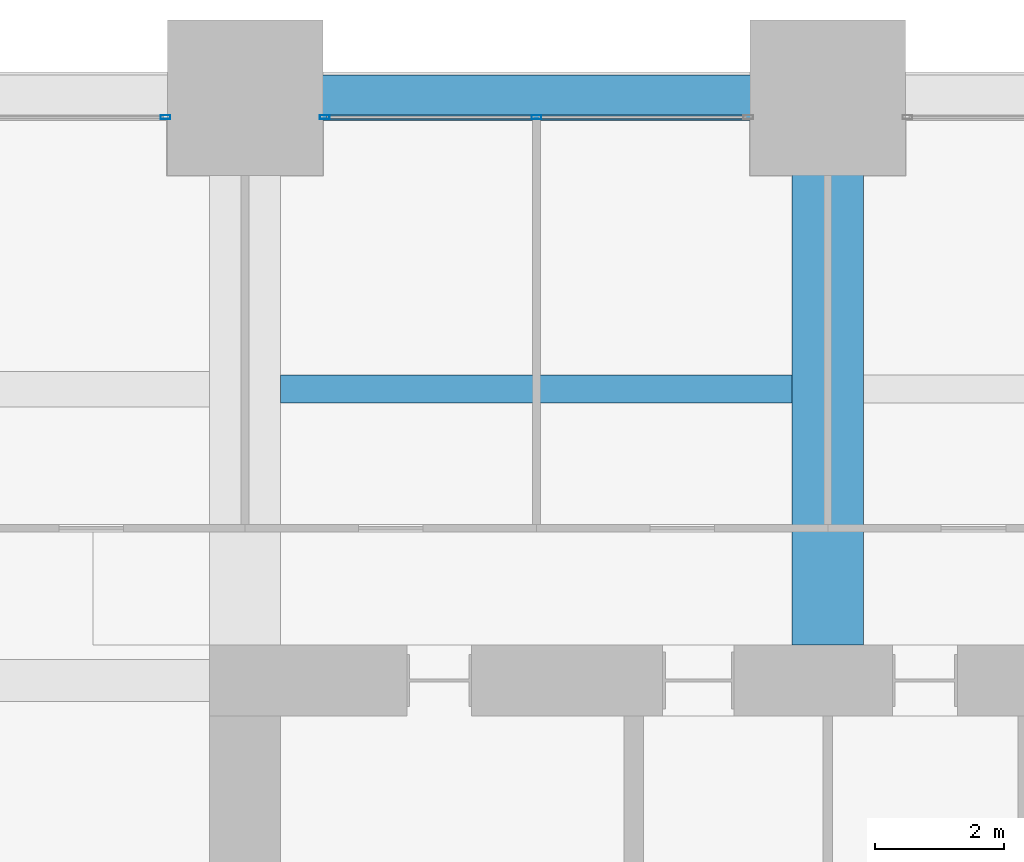
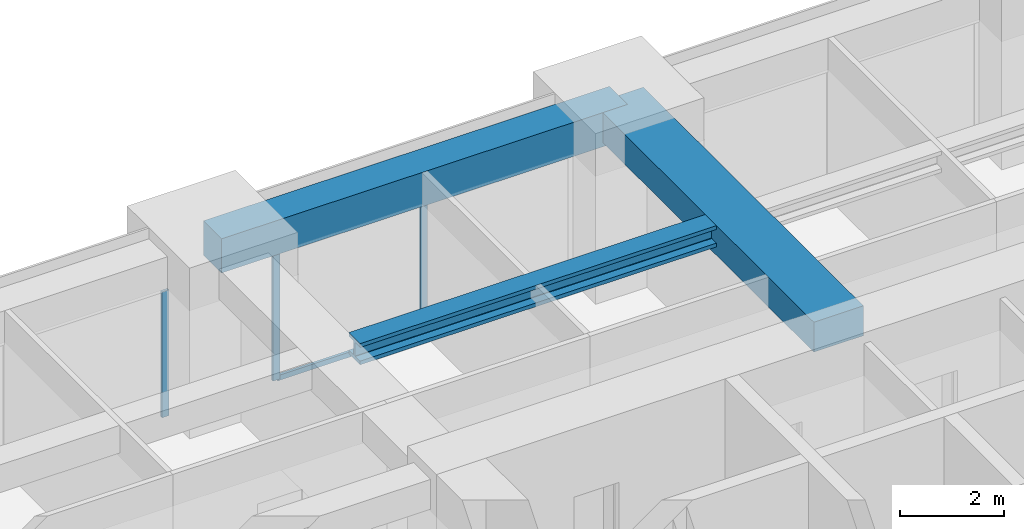
# One storey, part 24 of 34: 4 members, 3 beams, 2 elements without a shape of their own.
"""IFC4 building model written with IfcOpenShell, lengths in metres."""

import ifcopenshell
import ifcopenshell.guid

model = None  # the IFC model being written
_history = None  # IfcOwnerHistory: only IFC2X3 demands one
_inside = {}  # id of a spatial element -> (the spatial element, [elements in it])
_under = {}  # id of a project, library or spatial element -> (it, [spatial elements below it])
_declared = {}  # id of a project -> (the project, [libraries it declares])
_typed = {}  # id of a type object -> (the type object, [elements of that type])
_made_of = {}  # id of a material, layer set ... -> (it, [elements and type objects made of it])


def new_model(schema):
    """Start an empty IFC model of exactly this schema.

    Asked for "IFC4X3", IfcOpenShell would pick the latest addendum, in which some entities
    have other attributes; the version numbers below select the first issue.
    IFC2X3 requires an IfcOwnerHistory on every rooted entity: one is made here for all.
    """
    global model, _history
    if schema == "IFC4X3":
        model = ifcopenshell.file(schema_version=(4, 3, 0, 0))
    else:
        model = ifcopenshell.file(schema=schema)
    _inside.clear()
    _under.clear()
    _declared.clear()
    _typed.clear()
    _made_of.clear()
    _history = None
    if model.schema == "IFC2X3":
        org = make("IfcOrganization", Name="unknown")
        user = make(
            "IfcPersonAndOrganization",
            ThePerson=make("IfcPerson", FamilyName="unknown"),
            TheOrganization=org,
        )
        app = make(
            "IfcApplication",
            ApplicationDeveloper=org,
            Version="unknown",
            ApplicationFullName="unknown",
            ApplicationIdentifier="unknown",
        )
        _history = make(
            "IfcOwnerHistory",
            OwningUser=user,
            OwningApplication=app,
            ChangeAction="ADDED",
            CreationDate=0,
        )
    return model


def make(cls, **values):
    """One entity of the class cls with the attributes given. An attribute that is None is left unset."""
    return model.create_entity(
        cls, **{name: value for name, value in values.items() if value is not None}
    )


def rooted(cls, **values):
    """An entity with a GlobalId (a new one), such as an element, a storey or a relation."""
    return make(cls, GlobalId=ifcopenshell.guid.new(), OwnerHistory=_history, **values)


def si_unit(unit_type, name, prefix=None):
    """IfcSIUnit, for example si_unit("LENGTHUNIT", "METRE", prefix="MILLI")."""
    return make("IfcSIUnit", UnitType=unit_type, Prefix=prefix, Name=name)


def assignment(units):
    """IfcUnitAssignment: the units of a project."""
    return None if units is None else make("IfcUnitAssignment", Units=units)


def point(xyz):
    """IfcCartesianPoint."""
    return None if xyz is None else make("IfcCartesianPoint", Coordinates=xyz)


def direction(xyz):
    """IfcDirection."""
    return None if xyz is None else make("IfcDirection", DirectionRatios=xyz)


def frame(location, z_axis=None, x_axis=None):
    """IfcAxis2Placement3D, a coordinate frame: its origin and axes. An axis left out is left unset."""
    return make(
        "IfcAxis2Placement3D",
        Location=point(location),
        Axis=direction(z_axis),
        RefDirection=direction(x_axis),
    )


def frame_2d(location, x_axis=None):
    """IfcAxis2Placement2D, a coordinate frame in the plane: its origin and x axis."""
    return make(
        "IfcAxis2Placement2D", Location=point(location), RefDirection=direction(x_axis)
    )


def origin():
    """The frame at (0, 0, 0) with its axes left unset."""
    return frame((0.0, 0.0, 0.0))


def origin_2d():
    """The frame at (0, 0) in the plane with its x axis left unset."""
    return frame_2d((0.0, 0.0))


def place(relative_to, where):
    """IfcLocalPlacement: puts the frame where relative to a parent placement (None: the world)."""
    return make(
        "IfcLocalPlacement", PlacementRelTo=relative_to, RelativePlacement=where
    )


def context(
    kind, dimensions, precision=None, world=None, true_north=None, identifier=None
):
    """IfcGeometricRepresentationContext, for example the 3D "Model" context."""
    return make(
        "IfcGeometricRepresentationContext",
        ContextIdentifier=identifier,
        ContextType=kind,
        CoordinateSpaceDimension=dimensions,
        Precision=precision,
        WorldCoordinateSystem=world,
        TrueNorth=true_north,
    )


def subcontext(parent, identifier, kind, view, scale=None):
    """IfcGeometricRepresentationSubContext, for example "Body" below "Model"."""
    return make(
        "IfcGeometricRepresentationSubContext",
        ContextIdentifier=identifier,
        ContextType=kind,
        ParentContext=parent,
        TargetScale=scale,
        TargetView=view,
    )


def project(units=None, contexts=None):
    """IfcProject with its units and contexts."""
    return rooted(
        "IfcProject",
        Name="project",
        RepresentationContexts=contexts,
        UnitsInContext=assignment(units),
    )


def spatial(cls, under=None, at=None, **own):
    """A site, building, storey or space (cls), placed at a placement, below another one or the project."""
    s = rooted(cls, ObjectPlacement=at, **own)
    if under is not None:
        _under.setdefault(under.id(), (under, []))[1].append(s)
    return s


def profile(cls, at=None, kind="AREA", **sizes):
    """A parametric profile (cls). Its sizes go by their IFC names, for example OverallWidth=200.0."""
    return make(cls, ProfileType=kind, Position=at, **sizes)


def rectangle(**sizes):
    """IfcRectangleProfileDef."""
    return profile("IfcRectangleProfileDef", **sizes)


def hollow_rectangle(**sizes):
    """IfcRectangleHollowProfileDef."""
    return profile("IfcRectangleHollowProfileDef", **sizes)


def i_section(**sizes):
    """IfcIShapeProfileDef."""
    return profile("IfcIShapeProfileDef", **sizes)


def extrude(swept, where, along, depth):
    """IfcExtrudedAreaSolid: the profile swept, set in the frame where, extruded along a direction by depth."""
    return make(
        "IfcExtrudedAreaSolid",
        SweptArea=swept,
        Position=where,
        ExtrudedDirection=direction(along),
        Depth=depth,
    )


def shape(context_of_items, identifier, shape_type, items):
    """IfcShapeRepresentation: the items that make up one representation, for example the "Body"."""
    return make(
        "IfcShapeRepresentation",
        ContextOfItems=context_of_items,
        RepresentationIdentifier=identifier,
        RepresentationType=shape_type,
        Items=items,
    )


def material(Name=None, Category=None):
    """IfcMaterial."""
    return make("IfcMaterial", Name=Name, Category=Category)


def material_profile(
    of_material, cross_section, Name=None, Category=None, Priority=None
):
    """IfcMaterialProfile: a cross section and its material."""
    return make(
        "IfcMaterialProfile",
        Name=Name,
        Material=of_material,
        Profile=cross_section,
        Priority=Priority,
        Category=Category,
    )


def profile_set(profiles, Name=None, composite=None):
    """IfcMaterialProfileSet."""
    return make(
        "IfcMaterialProfileSet",
        Name=Name,
        MaterialProfiles=profiles,
        CompositeProfile=composite,
    )


def made_of(thing, what):
    """Note that an element or type object is made of a material, layer set ...; save() writes the relation."""
    if what is not None:
        _made_of.setdefault(what.id(), (what, []))[1].append(thing)
    return thing


def type_object(cls, material=None, **own):
    """A type object (cls), such as IfcWallType, which elements share."""
    return made_of(rooted(cls, **own), material)


def element(
    cls,
    number,
    at=None,
    inside=None,
    cuts=None,
    type_object=None,
    material=None,
    context=None,
    identifier="Body",
    shape_type=None,
    held_by="IfcProductDefinitionShape",
    body=None,
    shapes=None,
    **own,
):
    """One element of the class cls, such as IfcWall. Its Tag is "e" and its number.

    at: its placement. inside: the storey or other place that contains it. cuts: it is an
    opening in that element (IfcRelVoidsElement). A single representation is given by context,
    identifier, shape_type and body (its items); several are given by shapes. held_by: the class
    of the entity that holds the representations. save() writes the other relations.
    """
    e = rooted(cls, Tag="e%d" % number, ObjectPlacement=at, **own)
    if body is not None:
        shapes = [shape(context, identifier, shape_type, body)]
    if shapes is not None:
        e.Representation = make(held_by, Representations=shapes)
    if inside is not None:
        _inside.setdefault(inside.id(), (inside, []))[1].append(e)
    if cuts is not None:
        rooted(
            "IfcRelVoidsElement", RelatingBuildingElement=cuts, RelatedOpeningElement=e
        )
    if type_object is not None:
        _typed.setdefault(type_object.id(), (type_object, []))[1].append(e)
    return made_of(e, material)


def aggregate(whole, parts):
    """IfcRelAggregates: a whole, such as a stair, and the parts it consists of."""
    return rooted("IfcRelAggregates", RelatingObject=whole, RelatedObjects=parts)


def save(model, path):
    """Write the relations noted so far, then the file.

    IfcRelAggregates (storeys below a building ...), IfcRelContainedInSpatialStructure (elements
    in a storey), IfcRelDefinesByType, IfcRelAssociatesMaterial and IfcRelDeclares: one each for
    every whole, place, type object, material and project.
    """
    for whole, parts in _under.values():
        aggregate(whole, parts)
    for where, things in _inside.values():
        rooted(
            "IfcRelContainedInSpatialStructure",
            RelatedElements=things,
            RelatingStructure=where,
        )
    for kind, things in _typed.values():
        rooted("IfcRelDefinesByType", RelatedObjects=things, RelatingType=kind)
    for what, things in _made_of.values():
        rooted("IfcRelAssociatesMaterial", RelatedObjects=things, RelatingMaterial=what)
    for by, libraries in _declared.values():
        rooted("IfcRelDeclares", RelatingContext=by, RelatedDefinitions=libraries)
    model.write(path)


model = new_model("IFC4")

# Units and contexts
model_context = context("Model", 3, precision=1e-05, world=origin(), true_north=direction((0.0, 1.0)))
body_context = subcontext(model_context, "Body", "Model", "MODEL_VIEW")
ifc_project = project(units=[si_unit("LENGTHUNIT", "METRE"), si_unit("AREAUNIT", "SQUARE_METRE"), si_unit("VOLUMEUNIT", "CUBIC_METRE"), si_unit("PLANEANGLEUNIT", "RADIAN"), si_unit("MASSUNIT", "GRAM", prefix="KILO")], contexts=[model_context])

# Site, building, storey
site_placement = place(None, origin())
site = spatial("IfcSite", under=ifc_project, at=site_placement, CompositionType="ELEMENT")
building_placement = place(site_placement, origin())
building = spatial("IfcBuilding", under=site, at=building_placement, Name="Zorevar Civic Tower", CompositionType="ELEMENT")
storey_placement = place(building_placement, frame((0.0, 0.0, 170.199951171875)))
storey = spatial("IfcBuildingStorey", under=building, at=storey_placement, Name="L41", CompositionType="ELEMENT", Elevation=170.199951171875)

# Beam
ifc_material_1 = material(Name="Concrete C50/60", Category="concrete")
ifc_material_profile_1 = material_profile(ifc_material_1, rectangle(XDim=1.10009765625, YDim=0.699951171875, at=origin_2d()), Name="RC 1100x700")
ifc_profile_set_1 = profile_set([ifc_material_profile_1], Name="Concrete C50/60")
beam_type_1 = type_object("IfcBeamType", Name="Beam RC 1100x700", PredefinedType="BEAM", material=ifc_profile_set_1)
beam_1_placement = place(storey_placement, frame((27.0, 36.550048828125, 3.400146484375), z_axis=(0.0, 1.0, 0.0), x_axis=(-1.0, 0.0, 0.0)))
element("IfcBeam", 1, at=beam_1_placement, inside=storey, type_object=beam_type_1, Name="Girder L42", PredefinedType="BEAM", context=body_context, shape_type="SweptSolid", body=[
    extrude(rectangle(XDim=1.10009765625, YDim=0.699951171875, at=origin_2d()), origin(), (0.0, 0.0, 1.0), 8.449951171875),
])

# Curtain wall, member
ifc_material_2 = material(Name="Dark grey solar-control glass in black aluminium frame", Category="aluminium")
curtain_wall_type = type_object("IfcCurtainWallType", Name="Curtain wall CW4 high zone", PredefinedType="NOTDEFINED", material=ifc_material_2)
curtain_wall_1_placement = place(storey_placement, origin())
curtain_wall_1 = element("IfcCurtainWall", 2, at=curtain_wall_1_placement, inside=storey, type_object=curtain_wall_type, Name="CW4 L41", PredefinedType="NOTDEFINED")
ifc_material_3 = material(Name="Aluminium, black anodised", Category="aluminium")
ifc_material_profile_2 = material_profile(ifc_material_3, hollow_rectangle(XDim=0.06005859375, YDim=0.14990234375, WallThickness=0.00390625, at=origin_2d()), Name="AL 150x60x4")
ifc_profile_set_2 = profile_set([ifc_material_profile_2], Name="Aluminium, black anodised")
member_type_1 = type_object("IfcMemberType", Name="CW4 mullion AL 150x60x4", PredefinedType="MULLION", material=ifc_profile_set_2)
member_1_placement = place(storey_placement, frame((16.77001953125, 44.699951171875, 0.0), z_axis=(0.0, 0.0, 1.0), x_axis=(0.0, 1.0, 0.0)))
member_1 = element("IfcMember", 3, at=member_1_placement, type_object=member_type_1, Name="CW4 mullion 3", PredefinedType="MULLION", context=body_context, shape_type="SweptSolid", body=[
    extrude(hollow_rectangle(XDim=0.06005859375, YDim=0.14990234375, WallThickness=0.00390625, at=origin_2d()), origin(), (0.0, 0.0, 1.0), 2.949951171875),
])
aggregate(curtain_wall_1, [member_1])

# Curtain wall, members
curtain_wall_2_placement = place(storey_placement, origin())
curtain_wall_2 = element("IfcCurtainWall", 4, at=curtain_wall_2_placement, inside=storey, type_object=curtain_wall_type, Name="CW4 L41", PredefinedType="NOTDEFINED")
member_2_placement = place(storey_placement, frame((19.22998046875, 44.699951171875, 0.0), z_axis=(0.0, 0.0, 1.0), x_axis=(0.0, 1.0, 0.0)))
member_2 = element("IfcMember", 5, at=member_2_placement, type_object=member_type_1, Name="CW4 mullion 1", PredefinedType="MULLION", context=body_context, shape_type="SweptSolid", body=[
    extrude(hollow_rectangle(XDim=0.06005859375, YDim=0.14990234375, WallThickness=0.00390625, at=origin_2d()), origin(), (0.0, 0.0, 1.0), 2.949951171875),
])
member_3_placement = place(storey_placement, frame((22.5, 44.699951171875, 0.06005859375), z_axis=(0.0, 0.0, 1.0), x_axis=(0.0, 1.0, 0.0)))
member_3 = element("IfcMember", 6, at=member_3_placement, type_object=member_type_1, Name="CW4 mullion 2", PredefinedType="MULLION", context=body_context, shape_type="SweptSolid", body=[
    extrude(hollow_rectangle(XDim=0.06005859375, YDim=0.14990234375, WallThickness=0.00390625, at=origin_2d()), origin(), (0.0, 0.0, 1.0), 2.889892578125),
])
ifc_material_4 = material(Name="Aluminium, black anodised", Category="aluminium")
ifc_material_profile_3 = material_profile(ifc_material_4, hollow_rectangle(XDim=0.06005859375, YDim=0.1201171875, WallThickness=0.0029296875, at=origin_2d()), Name="AL 120x60x3")
ifc_profile_set_3 = profile_set([ifc_material_profile_3], Name="Aluminium, black anodised")
member_type_2 = type_object("IfcMemberType", Name="CW4 transom AL 120x60x3", PredefinedType="USERDEFINED", material=ifc_profile_set_3)
member_4_placement = place(storey_placement, frame((19.260009765625, 44.699951171875, 0.030029296875), z_axis=(1.0, 0.0, 0.0), x_axis=(0.0, 1.0, 0.0)))
member_4 = element("IfcMember", 7, at=member_4_placement, type_object=member_type_2, Name="CW4 sill transom", ObjectType="TRANSOM", PredefinedType="USERDEFINED", context=body_context, shape_type="SweptSolid", body=[
    extrude(hollow_rectangle(XDim=0.06005859375, YDim=0.1201171875, WallThickness=0.0029296875, at=origin_2d()), origin(), (0.0, 0.0, 1.0), 6.47998046875),
])
aggregate(curtain_wall_2, [member_2, member_3, member_4])

# Beams
ifc_material_5 = material(Name="Steel S460M (HISTAR 460)", Category="steel")
ifc_material_profile_4 = material_profile(ifc_material_5, i_section(OverallWidth=0.431884765625, OverallDepth=0.498046875, WebThickness=0.0556640625, FlangeThickness=0.0888671875, FilletRadius=0.014892578125, at=origin_2d()), Name="HD 400x744")
ifc_profile_set_4 = profile_set([ifc_material_profile_4], Name="Steel S460M (HISTAR 460)")
beam_type_2 = type_object("IfcBeamType", Name="Core bay beam HD 400x744", PredefinedType="BEAM", material=ifc_profile_set_4)
beam_2_placement = place(storey_placement, frame((18.550048828125, 40.5, 3.5009765625), z_axis=(1.0, 0.0, 0.0), x_axis=(0.0, 1.0, 0.0)))
element("IfcBeam", 8, at=beam_2_placement, inside=storey, type_object=beam_type_2, Name="Secondary beam L42", PredefinedType="BEAM", context=body_context, shape_type="SweptSolid", body=[
    extrude(i_section(OverallWidth=0.431884765625, OverallDepth=0.498046875, WebThickness=0.0556640625, FlangeThickness=0.0888671875, FilletRadius=0.014892578125, at=origin_2d()), origin(), (0.0, 0.0, 1.0), 7.89990234375),
])
ifc_material_6 = material(Name="Concrete C50/60", Category="concrete")
ifc_material_profile_5 = material_profile(ifc_material_6, rectangle(XDim=0.699951171875, YDim=0.800048828125, at=origin_2d()), Name="RC 700x800")
ifc_profile_set_5 = profile_set([ifc_material_profile_5], Name="Concrete C50/60")
beam_type_3 = type_object("IfcBeamType", Name="Edge beam RC 700x800", PredefinedType="SPANDREL", material=ifc_profile_set_5)
beam_3_placement = place(storey_placement, frame((18.0, 45.0, 3.35009765625), z_axis=(1.0, 0.0, 0.0), x_axis=(0.0, 1.0, 0.0)))
element("IfcBeam", 9, at=beam_3_placement, inside=storey, type_object=beam_type_3, Name="Edge beam L42", PredefinedType="SPANDREL", context=body_context, shape_type="SweptSolid", body=[
    extrude(rectangle(XDim=0.699951171875, YDim=0.800048828125, at=origin_2d()), origin(), (0.0, 0.0, 1.0), 9.0),
])

save(model, "model.ifc")
